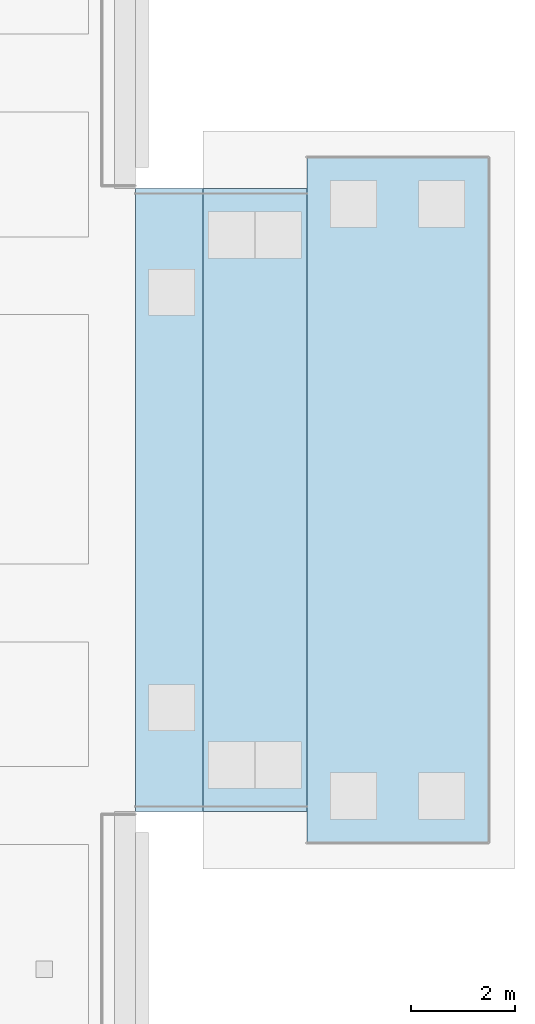
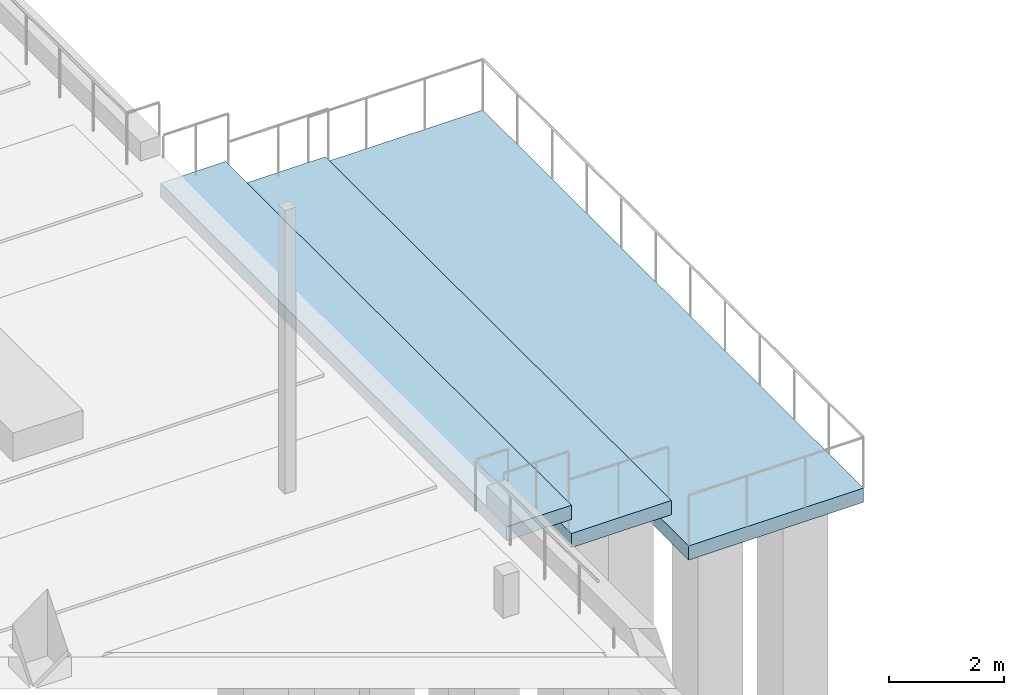
# One storey, part 11 of 41: 3 slabs.
"""IFC4 building model written with IfcOpenShell, lengths in metres."""

from ifc_helpers import new_model, si_unit, direction, frame, origin, place, context, subcontext, project, spatial, polyline, outline, extrude, material, layer, layer_set, type_object, element, save


model = new_model("IFC4")

# Units and contexts
model_context = context("Model", 3, precision=1e-05, world=origin(), true_north=direction((0.0, 1.0)))
body_context = subcontext(model_context, "Body", "Model", "MODEL_VIEW")
ifc_project = project(units=[si_unit("LENGTHUNIT", "METRE"), si_unit("AREAUNIT", "SQUARE_METRE"), si_unit("VOLUMEUNIT", "CUBIC_METRE"), si_unit("PLANEANGLEUNIT", "RADIAN"), si_unit("MASSUNIT", "GRAM", prefix="KILO")], contexts=[model_context])

# Site, building, storey
site_placement = place(None, origin())
site = spatial("IfcSite", under=ifc_project, at=site_placement, CompositionType="ELEMENT")
building_placement = place(site_placement, origin())
building = spatial("IfcBuilding", under=site, at=building_placement, Name="Tamra Quay Hotel Tower", CompositionType="ELEMENT")
storey_placement = place(building_placement, origin())
storey = spatial("IfcBuildingStorey", under=building, at=storey_placement, Name="L00", CompositionType="ELEMENT", Elevation=0.0)

# Slabs
ifc_material = material(Name="Concrete M50", Category="concrete")
ifc_layer_1 = layer(ifc_material, 0.300048828125)
ifc_layer_set_1 = layer_set([ifc_layer_1], Name="HARBOUR TERRACE 300")
slab_type_1 = type_object("IfcSlabType", Name="HARBOUR TERRACE 300", PredefinedType="LANDING", material=ifc_layer_set_1)
slab_1_placement = place(storey_placement, frame((0.0, 0.0, -0.89990234375)))
element("IfcSlab", 1, at=slab_1_placement, inside=storey, type_object=slab_type_1, Name="Harbour terrace 2.1", PredefinedType="LANDING", context=body_context, shape_type="SweptSolid", body=[
    extrude(outline(polyline([(46.199951171875, 47.93310546875), (47.5, 47.93310546875), (47.5, 59.93310546875), (46.199951171875, 59.93310546875), (46.199951171875, 47.93310546875)])), origin(), (0.0, 0.0, 1.0), 0.2998046875),
])
slab_2_placement = place(storey_placement, frame((0.0, 0.0, -1.5)))
element("IfcSlab", 2, at=slab_2_placement, inside=storey, type_object=slab_type_1, Name="Harbour terrace 2.2", PredefinedType="LANDING", context=body_context, shape_type="SweptSolid", body=[
    extrude(outline(polyline([(47.5, 47.93310546875), (49.5, 47.93310546875), (49.5, 59.93310546875), (47.5, 59.93310546875), (47.5, 47.93310546875)])), origin(), (0.0, 0.0, 1.0), 0.300048828125),
])
ifc_layer_2 = layer(ifc_material, 0.300048828125)
ifc_layer_set_2 = layer_set([ifc_layer_2], Name="WATERSIDE LANDING 300")
slab_type_2 = type_object("IfcSlabType", Name="WATERSIDE LANDING 300", PredefinedType="LANDING", material=ifc_layer_set_2)
slab_3_placement = place(storey_placement, frame((0.0, 0.0, -2.10009765625)))
element("IfcSlab", 3, at=slab_3_placement, inside=storey, type_object=slab_type_2, Name="Waterside landing 2", PredefinedType="LANDING", context=body_context, shape_type="SweptSolid", body=[
    extrude(outline(polyline([(49.5, 47.3330078125), (53.0, 47.3330078125), (53.0, 60.532958984375), (49.5, 60.532958984375), (49.5, 47.3330078125)])), origin(), (0.0, 0.0, 1.0), 0.300048828125),
])

save(model, "model.ifc")
